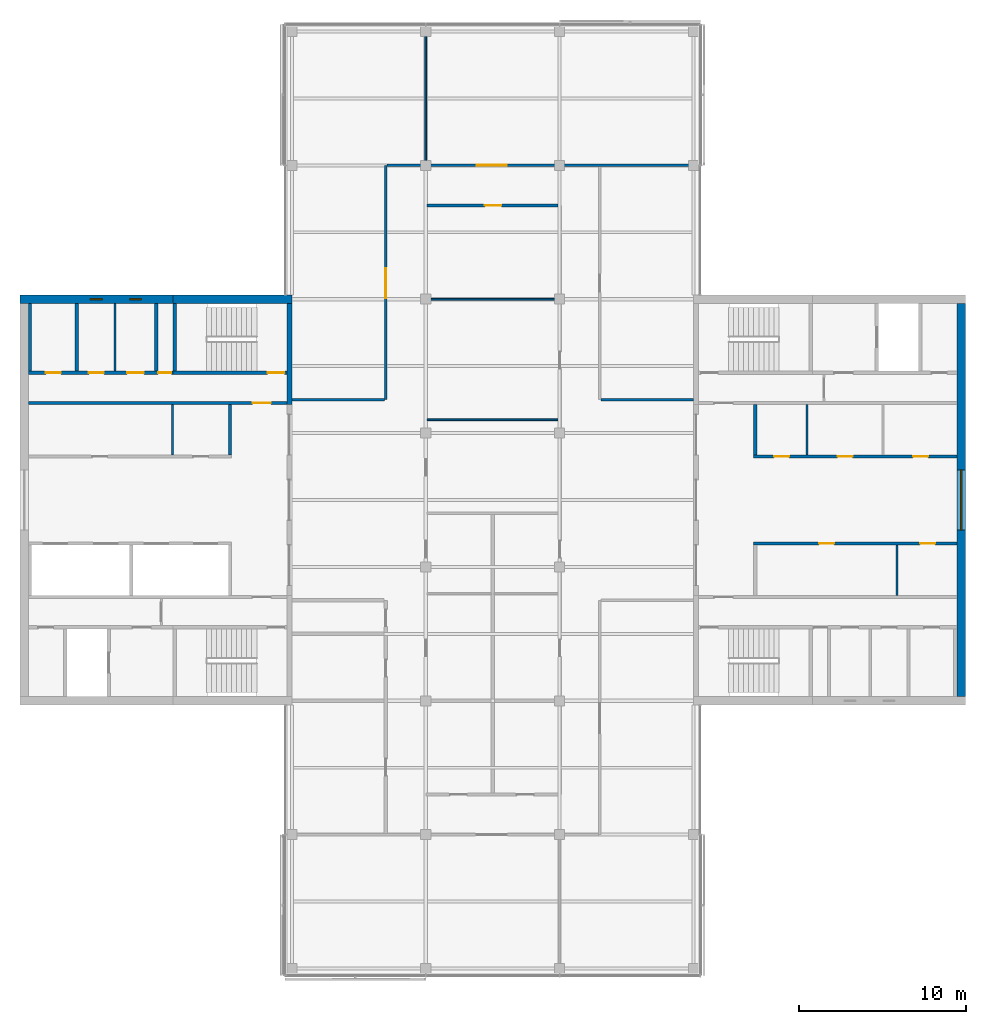
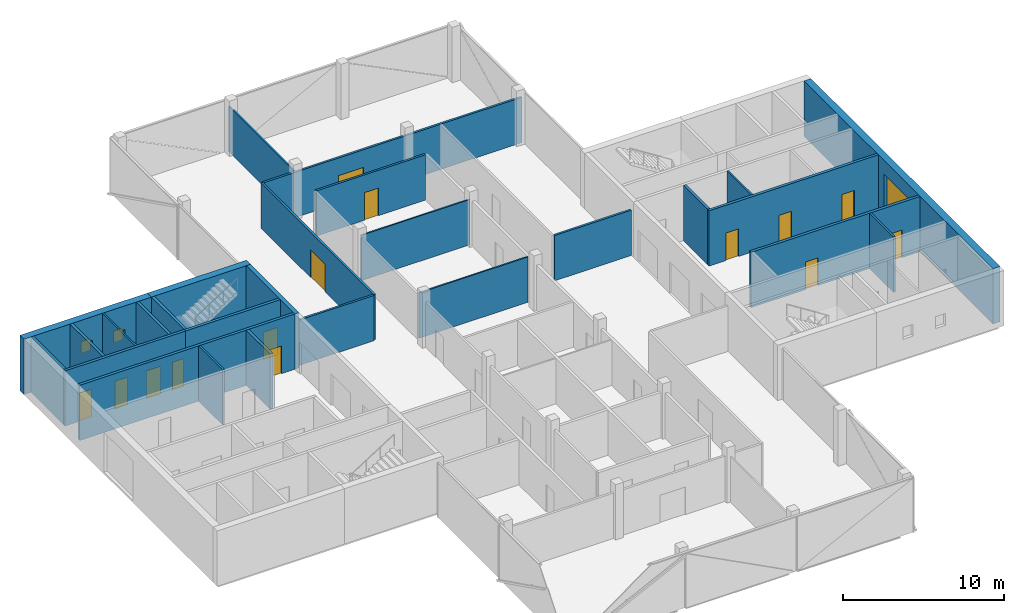
# One storey, part 11 of 15: 27 walls, 14 doors, 3 windows, 17 openings.
"""IFC4 building model written with IfcOpenShell, lengths in metres."""

from ifc_helpers import new_model, si_unit, direction, frame, frame_2d, origin, place, context, subcontext, project, spatial, rectangle, extrude, material, layer, layer_set, constituent, constituent_set, type_object, element, fill, save


model = new_model("IFC4")

# Units and contexts
model_context = context("Model", 3, precision=1e-05, world=origin(), true_north=direction((0.0, 1.0)))
body_context = subcontext(model_context, "Body", "Model", "MODEL_VIEW")
ifc_project = project(units=[si_unit("LENGTHUNIT", "METRE"), si_unit("AREAUNIT", "SQUARE_METRE"), si_unit("VOLUMEUNIT", "CUBIC_METRE"), si_unit("PLANEANGLEUNIT", "RADIAN"), si_unit("MASSUNIT", "GRAM", prefix="KILO")], contexts=[model_context])

# Site, building, storey
site_placement = place(None, origin())
site = spatial("IfcSite", under=ifc_project, at=site_placement, CompositionType="ELEMENT")
building_placement = place(site_placement, origin())
building = spatial("IfcBuilding", under=site, at=building_placement, Name="Crosswind Convention Tower", CompositionType="ELEMENT")
storey_placement = place(building_placement, frame((0.0, 0.0, 319.699951171875)))
storey = spatial("IfcBuildingStorey", under=building, at=storey_placement, Name="L69", CompositionType="ELEMENT", Elevation=319.699951171875)

# Walls
ifc_material_1 = material(Name="Concrete blockwork", Category="masonry")
ifc_layer_1 = layer(ifc_material_1, 0.199951171875)
ifc_layer_set_1 = layer_set([ifc_layer_1], Name="Blockwork partition wall 200")
wall_type_1 = type_object("IfcWallType", Name="Blockwork partition wall 200", PredefinedType="PARTITIONING", material=ifc_layer_set_1)
wall_1_placement = place(storey_placement, frame((104.89990234375, 111.75, 0.0), z_axis=(0.0, 0.0, 1.0), x_axis=(0.0, -1.0, 0.0)))
element("IfcWall", 1, at=wall_1_placement, inside=storey, type_object=wall_type_1, Name="Wall MRSE W L69", PredefinedType="PARTITIONING", context=body_context, shape_type="SweptSolid", body=[
    extrude(rectangle(XDim=4.050048828125, YDim=0.199951171875, at=frame_2d((2.02490234375, 0.0))), origin(), (0.0, 0.0, 1.0), 4.199951171875),
])
ifc_material_2 = material(Name="Concrete C50/60", Category="concrete")
ifc_layer_2 = layer(ifc_material_2, 0.300048828125)
ifc_layer_set_2 = layer_set([ifc_layer_2], Name="Concrete C50/60")
wall_type_2 = type_object("IfcWallType", Name="Concrete inner core wall 300", PredefinedType="SHEAR", material=ifc_layer_set_2)
wall_2_placement = place(storey_placement, frame((112.85009765625, 111.75, 0.0), z_axis=(0.0, 0.0, 1.0), x_axis=(0.0, -1.0, 0.0)))
element("IfcWall", 2, at=wall_2_placement, inside=storey, type_object=wall_type_2, Name="Wall EM W L69", PredefinedType="SHEAR", context=body_context, shape_type="SweptSolid", body=[
    extrude(rectangle(XDim=6.050048828125, YDim=0.300048828125, at=frame_2d((3.02490234375, 0.0))), origin(), (0.0, 0.0, 1.0), 4.199951171875),
])
ifc_layer_3 = layer(ifc_material_2, 0.199951171875)
ifc_layer_set_3 = layer_set([ifc_layer_3], Name="Concrete C50/60")
wall_type_3 = type_object("IfcWallType", Name="Concrete shaft and stair wall 200", PredefinedType="SHEAR", material=ifc_layer_set_3)
wall_3_placement = place(storey_placement, frame((140.699951171875, 102.699951171875, 0.0), z_axis=(0.0, 0.0, 1.0), x_axis=(0.0, 1.0, 0.0)))
element("IfcWall", 3, at=wall_3_placement, inside=storey, type_object=wall_type_3, Name="Wall RPEND E L69", PredefinedType="SHEAR", context=body_context, shape_type="SweptSolid", body=[
    extrude(rectangle(XDim=3.0, YDim=0.199951171875, at=frame_2d((1.5, 0.0))), origin(), (0.0, 0.0, 1.0), 4.199951171875),
])

# Wall, openings, doors
wall_4_placement = place(storey_placement, frame((140.60009765625, 102.60009765625, 0.0), z_axis=(0.0, 0.0, 1.0), x_axis=(1.0, 0.0, 0.0)))
wall_4 = element("IfcWall", 4, at=wall_4_placement, inside=storey, type_object=wall_type_3, Name="Wall RPFRONT E L69", PredefinedType="SHEAR", context=body_context, shape_type="SweptSolid", body=[
    extrude(rectangle(XDim=12.14990234375, YDim=0.199951171875, at=frame_2d((6.074951171875, 0.0))), origin(), (0.0, 0.0, 1.0), 4.199951171875),
])
opening_1_placement = place(wall_4_placement, frame((1.21240234375, 0.0, 0.0)))
opening_1 = element("IfcOpeningElement", 5, at=opening_1_placement, cuts=wall_4, Name="Opening D106", PredefinedType="OPENING", context=body_context, shape_type="SweptSolid", body=[
    extrude(rectangle(XDim=0.89990234375, YDim=2.10009765625, at=frame_2d((0.449951171875, 1.050048828125))), frame((0.0, 0.10986328125, 0.0), z_axis=(0.0, -1.0, 0.0), x_axis=(1.0, 0.0, 0.0)), (0.0, 0.0, 1.0), 0.219970703125),
])
opening_2_placement = place(wall_4_placement, frame((5.008056640625, 0.0, 0.0)))
opening_2 = element("IfcOpeningElement", 6, at=opening_2_placement, cuts=wall_4, Name="Opening D106", PredefinedType="OPENING", context=body_context, shape_type="SweptSolid", body=[
    extrude(rectangle(XDim=0.89990234375, YDim=2.10009765625, at=frame_2d((0.449951171875, 1.050048828125))), frame((0.0, 0.10986328125, 0.0), z_axis=(0.0, -1.0, 0.0), x_axis=(1.0, 0.0, 0.0)), (0.0, 0.0, 1.0), 0.219970703125),
])
opening_3_placement = place(wall_4_placement, frame((9.5205078125, 0.0, 0.0)))
opening_3 = element("IfcOpeningElement", 7, at=opening_3_placement, cuts=wall_4, Name="Opening D106", PredefinedType="OPENING", context=body_context, shape_type="SweptSolid", body=[
    extrude(rectangle(XDim=0.89990234375, YDim=2.10009765625, at=frame_2d((0.449951171875, 1.050048828125))), frame((0.0, 0.10986328125, 0.0), z_axis=(0.0, -1.0, 0.0), x_axis=(1.0, 0.0, 0.0)), (0.0, 0.0, 1.0), 0.219970703125),
])
ifc_material_3 = material(Name="Timber door", Category="wood")
door_type_1 = type_object("IfcDoorType", Name="Single leaf door 900x2100", OperationType="NOTDEFINED", PredefinedType="DOOR", material=ifc_material_3)
door_1_placement = place(opening_1_placement, origin())
door_1 = element("IfcDoor", 8, at=door_1_placement, inside=storey, type_object=door_type_1, Name="Door to meeting room L69", ObjectType="D106", OperationType="SINGLE_SWING_RIGHT", OverallHeight=2.10009765625, OverallWidth=0.89990234375, PredefinedType="DOOR", context=body_context, shape_type="SweptSolid", body=[
    extrude(rectangle(XDim=0.89990234375, YDim=2.10009765625, at=frame_2d((0.449951171875, 1.050048828125))), frame((0.0, 0.02490234375, 0.0), z_axis=(0.0, -1.0, 0.0), x_axis=(1.0, 0.0, 0.0)), (0.0, 0.0, 1.0), 0.050048828125),
])
fill(opening_1, door_1)
door_2_placement = place(opening_2_placement, origin())
door_2 = element("IfcDoor", 9, at=door_2_placement, inside=storey, type_object=door_type_1, Name="Door to pantry L69", ObjectType="D106", OperationType="SINGLE_SWING_RIGHT", OverallHeight=2.10009765625, OverallWidth=0.89990234375, PredefinedType="DOOR", context=body_context, shape_type="SweptSolid", body=[
    extrude(rectangle(XDim=0.89990234375, YDim=2.10009765625, at=frame_2d((0.449951171875, 1.050048828125))), frame((0.0, 0.02490234375, 0.0), z_axis=(0.0, -1.0, 0.0), x_axis=(1.0, 0.0, 0.0)), (0.0, 0.0, 1.0), 0.050048828125),
])
fill(opening_2, door_2)
door_3_placement = place(opening_3_placement, origin())
door_3 = element("IfcDoor", 10, at=door_3_placement, inside=storey, type_object=door_type_1, Name="Door to telecoms room L69", ObjectType="D106", OperationType="SINGLE_SWING_RIGHT", OverallHeight=2.10009765625, OverallWidth=0.89990234375, PredefinedType="DOOR", context=body_context, shape_type="SweptSolid", body=[
    extrude(rectangle(XDim=0.89990234375, YDim=2.10009765625, at=frame_2d((0.449951171875, 1.050048828125))), frame((0.0, 0.02490234375, 0.0), z_axis=(0.0, -1.0, 0.0), x_axis=(1.0, 0.0, 0.0)), (0.0, 0.0, 1.0), 0.050048828125),
])
fill(opening_3, door_3)

wall_5_placement = place(storey_placement, frame((140.60009765625, 97.39990234375, 0.0), z_axis=(0.0, 0.0, 1.0), x_axis=(1.0, 0.0, 0.0)))
wall_5 = element("IfcWall", 11, at=wall_5_placement, inside=storey, type_object=wall_type_3, Name="Wall RMFRONT E L69", PredefinedType="SHEAR", context=body_context, shape_type="SweptSolid", body=[
    extrude(rectangle(XDim=12.14990234375, YDim=0.199951171875, at=frame_2d((6.074951171875, 0.0))), origin(), (0.0, 0.0, 1.0), 4.199951171875),
])
opening_4_placement = place(wall_5_placement, frame((3.9013671875, 0.0, 0.0)))
opening_4 = element("IfcOpeningElement", 12, at=opening_4_placement, cuts=wall_5, Name="Opening D106", PredefinedType="OPENING", context=body_context, shape_type="SweptSolid", body=[
    extrude(rectangle(XDim=0.89990234375, YDim=2.10009765625, at=frame_2d((0.449951171875, 1.050048828125))), frame((0.0, 0.10986328125, 0.0), z_axis=(0.0, -1.0, 0.0), x_axis=(1.0, 0.0, 0.0)), (0.0, 0.0, 1.0), 0.219970703125),
])
opening_5_placement = place(wall_5_placement, frame((9.938720703125, 0.0, 0.0)))
opening_5 = element("IfcOpeningElement", 13, at=opening_5_placement, cuts=wall_5, Name="Opening D106", PredefinedType="OPENING", context=body_context, shape_type="SweptSolid", body=[
    extrude(rectangle(XDim=0.89990234375, YDim=2.10009765625, at=frame_2d((0.449951171875, 1.050048828125))), frame((0.0, 0.10986328125, 0.0), z_axis=(0.0, -1.0, 0.0), x_axis=(1.0, 0.0, 0.0)), (0.0, 0.0, 1.0), 0.219970703125),
])
door_4_placement = place(opening_4_placement, frame((0.89990234375, 0.0, 0.0), z_axis=(0.0, 0.0, 1.0), x_axis=(-1.0, 0.0, 0.0)))
door_4 = element("IfcDoor", 14, at=door_4_placement, inside=storey, type_object=door_type_1, Name="Door to pantry L69", ObjectType="D106", OperationType="SINGLE_SWING_LEFT", OverallHeight=2.10009765625, OverallWidth=0.89990234375, PredefinedType="DOOR", context=body_context, shape_type="SweptSolid", body=[
    extrude(rectangle(XDim=0.89990234375, YDim=2.10009765625, at=frame_2d((0.449951171875, 1.050048828125))), frame((0.0, 0.02490234375, 0.0), z_axis=(0.0, -1.0, 0.0), x_axis=(1.0, 0.0, 0.0)), (0.0, 0.0, 1.0), 0.050048828125),
])
fill(opening_4, door_4)
door_5_placement = place(opening_5_placement, frame((0.89990234375, 0.0, 0.0), z_axis=(0.0, 0.0, 1.0), x_axis=(-1.0, 0.0, 0.0)))
door_5 = element("IfcDoor", 15, at=door_5_placement, inside=storey, type_object=door_type_1, Name="Door to telecoms room L69", ObjectType="D106", OperationType="SINGLE_SWING_LEFT", OverallHeight=2.10009765625, OverallWidth=0.89990234375, PredefinedType="DOOR", context=body_context, shape_type="SweptSolid", body=[
    extrude(rectangle(XDim=0.89990234375, YDim=2.10009765625, at=frame_2d((0.449951171875, 1.050048828125))), frame((0.0, 0.02490234375, 0.0), z_axis=(0.0, -1.0, 0.0), x_axis=(1.0, 0.0, 0.0)), (0.0, 0.0, 1.0), 0.050048828125),
])
fill(opening_5, door_5)

# Wall
wall_6_placement = place(storey_placement, frame((109.300048828125, 105.699951171875, 0.0), z_axis=(0.0, 0.0, 1.0), x_axis=(0.0, -1.0, 0.0)))
element("IfcWall", 16, at=wall_6_placement, inside=storey, type_object=wall_type_3, Name="Wall RMEND W L69", PredefinedType="SHEAR", context=body_context, shape_type="SweptSolid", body=[
    extrude(rectangle(XDim=3.0, YDim=0.199951171875, at=frame_2d((1.5, 0.0))), origin(), (0.0, 0.0, 1.0), 4.199951171875),
])

# Wall, opening, door
wall_7_placement = place(storey_placement, frame((112.699951171875, 105.800048828125, 0.0), z_axis=(0.0, 0.0, 1.0), x_axis=(-1.0, 0.0, 0.0)))
wall_7 = element("IfcWall", 17, at=wall_7_placement, inside=storey, type_object=wall_type_3, Name="Wall HM W L69", PredefinedType="SHEAR", context=body_context, shape_type="SweptSolid", body=[
    extrude(rectangle(XDim=15.449951171875, YDim=0.199951171875, at=frame_2d((7.72509765625, 0.0))), origin(), (0.0, 0.0, 1.0), 4.199951171875),
])
opening_6_placement = place(wall_7_placement, frame((0.949951171875, 0.0, 0.0)))
opening_6 = element("IfcOpeningElement", 18, at=opening_6_placement, cuts=wall_7, Name="Opening D104", PredefinedType="OPENING", context=body_context, shape_type="SweptSolid", body=[
    extrude(rectangle(XDim=1.10009765625, YDim=2.10009765625, at=frame_2d((0.550048828125, 1.050048828125))), frame((0.0, 0.10986328125, 0.0), z_axis=(0.0, -1.0, 0.0), x_axis=(1.0, 0.0, 0.0)), (0.0, 0.0, 1.0), 0.219970703125),
])
ifc_material_4 = material(Name="Steel fire door", Category="steel")
door_type_2 = type_object("IfcDoorType", Name="Fire-rated single door 1100x2100", OperationType="NOTDEFINED", PredefinedType="DOOR", material=ifc_material_4)
door_6_placement = place(opening_6_placement, origin())
door_6 = element("IfcDoor", 19, at=door_6_placement, inside=storey, type_object=door_type_2, Name="Corridor door L69", ObjectType="D104", OperationType="SINGLE_SWING_LEFT", OverallHeight=2.10009765625, OverallWidth=1.10009765625, PredefinedType="DOOR", context=body_context, shape_type="SweptSolid", body=[
    extrude(rectangle(XDim=1.10009765625, YDim=2.10009765625, at=frame_2d((0.550048828125, 1.050048828125))), frame((0.0, 0.02490234375, 0.0), z_axis=(0.0, -1.0, 0.0), x_axis=(1.0, 0.0, 0.0)), (0.0, 0.0, 1.0), 0.050048828125),
])
fill(opening_6, door_6)

# Walls
for number, where, z_axis, x_axis, name in (
    (20, (106.0, 111.75, 0.0), (0.0, 0.0, 1.0), (0.0, -1.0, 0.0), "Wall MSE W L69"),
    (21, (100.14990234375, 111.75, 0.0), (0.0, 0.0, 1.0), (0.0, -1.0, 0.0), "Wall MFSW W L69"),
    (22, (97.35009765625, 111.75, 0.0), (0.0, 0.0, 1.0), (0.0, -1.0, 0.0), "Wall MFSE W L69"),
):
    element("IfcWall", number, at=place(storey_placement, frame(where, z_axis=z_axis, x_axis=x_axis)), inside=storey, type_object=wall_type_3, Name=name, PredefinedType="SHEAR", context=body_context, shape_type="SweptSolid", body=[
        extrude(rectangle(XDim=4.050048828125, YDim=0.199951171875, at=frame_2d((2.02490234375, 0.0))), origin(), (0.0, 0.0, 1.0), 4.199951171875),
    ])

# Wall, opening, door
wall_8_placement = place(storey_placement, frame((112.699951171875, 107.60009765625, 0.0), z_axis=(0.0, 0.0, 1.0), x_axis=(-1.0, 0.0, 0.0)))
wall_8 = element("IfcWall", 23, at=wall_8_placement, inside=storey, type_object=wall_type_3, Name="Wall MCW W L69", PredefinedType="SHEAR", context=body_context, shape_type="SweptSolid", body=[
    extrude(rectangle(XDim=6.800048828125, YDim=0.199951171875, at=frame_2d((3.39990234375, 0.0))), origin(), (0.0, 0.0, 1.0), 4.199951171875),
])
opening_7_placement = place(wall_8_placement, frame((0.14990234375, 0.0, 0.0)))
opening_7 = element("IfcOpeningElement", 24, at=opening_7_placement, cuts=wall_8, Name="Opening D103", PredefinedType="OPENING", context=body_context, shape_type="SweptSolid", body=[
    extrude(rectangle(XDim=1.0, YDim=2.10009765625, at=frame_2d((0.5, 1.050048828125))), frame((0.0, 0.10986328125, 0.0), z_axis=(0.0, -1.0, 0.0), x_axis=(1.0, 0.0, 0.0)), (0.0, 0.0, 1.0), 0.219970703125),
])
door_type_3 = type_object("IfcDoorType", Name="Fire-rated single door 1000x2100", OperationType="NOTDEFINED", PredefinedType="DOOR", material=ifc_material_4)
door_7_placement = place(opening_7_placement, frame((1.0, 0.0, 0.0), z_axis=(0.0, 0.0, 1.0), x_axis=(-1.0, 0.0, 0.0)))
door_7 = element("IfcDoor", 25, at=door_7_placement, inside=storey, type_object=door_type_3, Name="Stair ST4 door L69", ObjectType="D103", OperationType="SINGLE_SWING_RIGHT", OverallHeight=2.10009765625, OverallWidth=1.0, PredefinedType="DOOR", context=body_context, shape_type="SweptSolid", body=[
    extrude(rectangle(XDim=1.0, YDim=2.10009765625, at=frame_2d((0.5, 1.050048828125))), frame((0.0, 0.02490234375, 0.0), z_axis=(0.0, -1.0, 0.0), x_axis=(1.0, 0.0, 0.0)), (0.0, 0.0, 1.0), 0.050048828125),
])
fill(opening_7, door_7)

# Wall, openings, doors
wall_9_placement = place(storey_placement, frame((105.89990234375, 107.60009765625, 0.0), z_axis=(0.0, 0.0, 1.0), x_axis=(-1.0, 0.0, 0.0)))
wall_9 = element("IfcWall", 26, at=wall_9_placement, inside=storey, type_object=wall_type_3, Name="Wall MCX W L69", PredefinedType="SHEAR", context=body_context, shape_type="SweptSolid", body=[
    extrude(rectangle(XDim=8.64990234375, YDim=0.199951171875, at=frame_2d((4.324951171875, 0.0))), origin(), (0.0, 0.0, 1.0), 4.199951171875),
])
opening_8_placement = place(wall_9_placement, frame((0.10009765625, 0.0, 0.0)))
opening_8 = element("IfcOpeningElement", 27, at=opening_8_placement, cuts=wall_9, Name="Opening D105", PredefinedType="OPENING", context=body_context, shape_type="SweptSolid", body=[
    extrude(rectangle(XDim=0.800048828125, YDim=2.10009765625, at=frame_2d((0.39990234375, 1.050048828125))), frame((0.0, 0.10986328125, 0.0), z_axis=(0.0, -1.0, 0.0), x_axis=(1.0, 0.0, 0.0)), (0.0, 0.0, 1.0), 0.219970703125),
])
opening_9_placement = place(wall_9_placement, frame((1.751708984375, 0.0, 0.0)))
opening_9 = element("IfcOpeningElement", 28, at=opening_9_placement, cuts=wall_9, Name="Opening D103", PredefinedType="OPENING", context=body_context, shape_type="SweptSolid", body=[
    extrude(rectangle(XDim=1.0, YDim=2.10009765625, at=frame_2d((0.5, 1.050048828125))), frame((0.0, 0.10986328125, 0.0), z_axis=(0.0, -1.0, 0.0), x_axis=(1.0, 0.0, 0.0)), (0.0, 0.0, 1.0), 0.219970703125),
])
opening_10_placement = place(wall_9_placement, frame((4.13916015625, 0.0, 0.0)))
opening_10 = element("IfcOpeningElement", 29, at=opening_10_placement, cuts=wall_9, Name="Opening D106", PredefinedType="OPENING", context=body_context, shape_type="SweptSolid", body=[
    extrude(rectangle(XDim=0.89990234375, YDim=2.10009765625, at=frame_2d((0.449951171875, 1.050048828125))), frame((0.0, 0.10986328125, 0.0), z_axis=(0.0, -1.0, 0.0), x_axis=(1.0, 0.0, 0.0)), (0.0, 0.0, 1.0), 0.219970703125),
])
opening_11_placement = place(wall_9_placement, frame((6.699951171875, 0.0, 0.0)))
opening_11 = element("IfcOpeningElement", 30, at=opening_11_placement, cuts=wall_9, Name="Opening D106", PredefinedType="OPENING", context=body_context, shape_type="SweptSolid", body=[
    extrude(rectangle(XDim=0.89990234375, YDim=2.10009765625, at=frame_2d((0.449951171875, 1.050048828125))), frame((0.0, 0.10986328125, 0.0), z_axis=(0.0, -1.0, 0.0), x_axis=(1.0, 0.0, 0.0)), (0.0, 0.0, 1.0), 0.219970703125),
])
door_8_placement = place(opening_9_placement, frame((1.0, 0.0, 0.0), z_axis=(0.0, 0.0, 1.0), x_axis=(-1.0, 0.0, 0.0)))
door_8 = element("IfcDoor", 31, at=door_8_placement, inside=storey, type_object=door_type_3, Name="Door to accessible wc L69", ObjectType="D103", OperationType="SINGLE_SWING_LEFT", OverallHeight=2.10009765625, OverallWidth=1.0, PredefinedType="DOOR", context=body_context, shape_type="SweptSolid", body=[
    extrude(rectangle(XDim=1.0, YDim=2.10009765625, at=frame_2d((0.5, 1.050048828125))), frame((0.0, 0.02490234375, 0.0), z_axis=(0.0, -1.0, 0.0), x_axis=(1.0, 0.0, 0.0)), (0.0, 0.0, 1.0), 0.050048828125),
])
fill(opening_9, door_8)
door_type_4 = type_object("IfcDoorType", Name="Riser access door 800x2100", OperationType="NOTDEFINED", PredefinedType="DOOR", material=ifc_material_4)
door_9_placement = place(opening_8_placement, frame((0.800048828125, 0.0, 0.0), z_axis=(0.0, 0.0, 1.0), x_axis=(-1.0, 0.0, 0.0)))
door_9 = element("IfcDoor", 32, at=door_9_placement, inside=storey, type_object=door_type_4, Name="Riser door L69", ObjectType="D105", OperationType="SINGLE_SWING_LEFT", OverallHeight=2.10009765625, OverallWidth=0.800048828125, PredefinedType="DOOR", context=body_context, shape_type="SweptSolid", body=[
    extrude(rectangle(XDim=0.800048828125, YDim=2.10009765625, at=frame_2d((0.39990234375, 1.050048828125))), frame((0.0, 0.02490234375, 0.0), z_axis=(0.0, -1.0, 0.0), x_axis=(1.0, 0.0, 0.0)), (0.0, 0.0, 1.0), 0.050048828125),
])
fill(opening_8, door_9)
door_10_placement = place(opening_10_placement, frame((0.89990234375, 0.0, 0.0), z_axis=(0.0, 0.0, 1.0), x_axis=(-1.0, 0.0, 0.0)))
door_10 = element("IfcDoor", 33, at=door_10_placement, inside=storey, type_object=door_type_1, Name="Door to wc L69", ObjectType="D106", OperationType="SINGLE_SWING_LEFT", OverallHeight=2.10009765625, OverallWidth=0.89990234375, PredefinedType="DOOR", context=body_context, shape_type="SweptSolid", body=[
    extrude(rectangle(XDim=0.89990234375, YDim=2.10009765625, at=frame_2d((0.449951171875, 1.050048828125))), frame((0.0, 0.02490234375, 0.0), z_axis=(0.0, -1.0, 0.0), x_axis=(1.0, 0.0, 0.0)), (0.0, 0.0, 1.0), 0.050048828125),
])
fill(opening_10, door_10)
door_11_placement = place(opening_11_placement, frame((0.89990234375, 0.0, 0.0), z_axis=(0.0, 0.0, 1.0), x_axis=(-1.0, 0.0, 0.0)))
door_11 = element("IfcDoor", 34, at=door_11_placement, inside=storey, type_object=door_type_1, Name="Door to wc L69", ObjectType="D106", OperationType="SINGLE_SWING_LEFT", OverallHeight=2.10009765625, OverallWidth=0.89990234375, PredefinedType="DOOR", context=body_context, shape_type="SweptSolid", body=[
    extrude(rectangle(XDim=0.89990234375, YDim=2.10009765625, at=frame_2d((0.449951171875, 1.050048828125))), frame((0.0, 0.02490234375, 0.0), z_axis=(0.0, -1.0, 0.0), x_axis=(1.0, 0.0, 0.0)), (0.0, 0.0, 1.0), 0.050048828125),
])
fill(opening_11, door_11)

# Walls
ifc_material_5 = material(Name="Gypsum plasterboard partition", Category="gypsum")
ifc_layer_4 = layer(ifc_material_5, 0.125)
ifc_layer_set_4 = layer_set([ifc_layer_4], Name="Drywall partition wall 125")
wall_type_4 = type_object("IfcWallType", Name="Drywall partition wall 125", PredefinedType="PARTITIONING", material=ifc_layer_set_4)
for number, where, z_axis, x_axis, name in (
    (35, (143.78759765625, 102.699951171875, 0.0), (0.0, 0.0, 1.0), (0.0, 1.0, 0.0), "Wall RPP1 E L69"),
    (36, (149.1650390625, 94.300048828125, 0.0), (0.0, 0.0, 1.0), (0.0, 1.0, 0.0), "Wall RMP1 E L69"),
    (37, (105.85400390625, 105.699951171875, 0.0), (0.0, 0.0, 1.0), (0.0, -1.0, 0.0), "Wall RMP1 W L69"),
):
    element("IfcWall", number, at=place(storey_placement, frame(where, z_axis=z_axis, x_axis=x_axis)), inside=storey, type_object=wall_type_4, Name=name, PredefinedType="PARTITIONING", context=body_context, shape_type="SweptSolid", body=[
        extrude(rectangle(XDim=3.0, YDim=0.125, at=frame_2d((1.5, 0.0))), origin(), (0.0, 0.0, 1.0), 4.199951171875),
    ])
wall_10_placement = place(storey_placement, frame((102.43408203125, 111.75, 0.0), z_axis=(0.0, 0.0, 1.0), x_axis=(0.0, -1.0, 0.0)))
element("IfcWall", 38, at=wall_10_placement, inside=storey, type_object=wall_type_4, Name="Wall MWP1 W L69", PredefinedType="PARTITIONING", context=body_context, shape_type="SweptSolid", body=[
    extrude(rectangle(XDim=4.050048828125, YDim=0.125, at=frame_2d((2.02490234375, 0.0))), origin(), (0.0, 0.0, 1.0), 4.199951171875),
])
ifc_material_6 = material(Name="Plasterboard partition", Category="gypsum")
ifc_layer_5 = layer(ifc_material_6, 0.10009765625)
ifc_layer_set_5 = layer_set([ifc_layer_5], Name="PARTITION 100 METAL STUD")
wall_type_5 = type_object("IfcWallType", Name="PARTITION 100 METAL STUD", PredefinedType="PARTITIONING", material=ifc_layer_set_5)
wall_11_placement = place(storey_placement, frame((121.0, 120.074951171875, 0.0), z_axis=(0.0, 0.0, 1.0), x_axis=(0.0, 1.0, 0.0)))
element("IfcWall", 39, at=wall_11_placement, inside=storey, type_object=wall_type_5, Name="Partition wall WT40", PredefinedType="PARTITIONING", context=body_context, shape_type="SweptSolid", body=[
    extrude(rectangle(XDim=8.14501953125, YDim=0.10009765625, at=frame_2d((4.072509765625, 0.0))), origin(), (0.0, 0.0, 1.0), 3.44287109375),
])
for number, where, z_axis, x_axis, name in (
    (40, (121.074951171875, 104.800048828125, 0.0), (0.0, 0.0, 1.0), (1.0, 0.0, 0.0), "Partition wall WT40"),
    (41, (121.074951171875, 112.0, 0.0), (0.0, 0.0, 1.0), (1.0, 0.0, 0.0), "Partition wall WT40"),
):
    element("IfcWall", number, at=place(storey_placement, frame(where, z_axis=z_axis, x_axis=x_axis)), inside=storey, type_object=wall_type_5, Name=name, PredefinedType="PARTITIONING", context=body_context, shape_type="SweptSolid", body=[
        extrude(rectangle(XDim=7.824951171875, YDim=0.10009765625, at=frame_2d((3.91259765625, 0.0))), origin(), (0.0, 0.0, 1.0), 3.44287109375),
    ])

# Wall, opening, door
ifc_material_7 = material(Name="Fire-board partition with mineral wool", Category="gypsum")
ifc_layer_6 = layer(ifc_material_7, 0.14990234375)
ifc_layer_set_6 = layer_set([ifc_layer_6], Name="TENANCY WALL 150 TWO-HOUR BOARD")
wall_type_6 = type_object("IfcWallType", Name="TENANCY WALL 150 TWO-HOUR BOARD", PredefinedType="PARTITIONING", material=ifc_layer_set_6)
wall_12_placement = place(storey_placement, frame((118.60009765625, 106.0, 0.0), z_axis=(0.0, 0.0, 1.0), x_axis=(0.0, 1.0, 0.0)))
wall_12 = element("IfcWall", 42, at=wall_12_placement, inside=storey, type_object=wall_type_6, Name="Tenancy wall WT41", PredefinedType="PARTITIONING", context=body_context, shape_type="SweptSolid", body=[
    extrude(rectangle(XDim=14.0, YDim=0.14990234375, at=frame_2d((7.0, 0.0))), origin(), (0.0, 0.0, 1.0), 3.44287109375),
])
opening_12_placement = place(wall_12_placement, frame((6.050048828125, 0.0, 0.0)))
opening_12 = element("IfcOpeningElement", 43, at=opening_12_placement, cuts=wall_12, Name="Opening L69-52", PredefinedType="OPENING", context=body_context, shape_type="SweptSolid", body=[
    extrude(rectangle(XDim=1.800048828125, YDim=2.10009765625, at=frame_2d((0.89990234375, 1.050048828125))), frame((0.0, 0.0849609375, 0.0), z_axis=(0.0, -1.0, 0.0), x_axis=(1.0, 0.0, 0.0)), (0.0, 0.0, 1.0), 0.169921875),
])
ifc_material_8 = material(Name="Timber fire door", Category="wood")
door_type_5 = type_object("IfcDoorType", Name="TENANCY ENTRANCE DOUBLE DOOR 1800X2100 FD30S", OperationType="DOUBLE_DOOR_SINGLE_SWING", PredefinedType="DOOR", material=ifc_material_8)
door_12_placement = place(opening_12_placement, origin())
door_12 = element("IfcDoor", 44, at=door_12_placement, inside=storey, type_object=door_type_5, Name="Door L69-52", ObjectType="D42", OperationType="DOUBLE_DOOR_SINGLE_SWING", OverallHeight=2.10009765625, OverallWidth=1.800048828125, PredefinedType="DOOR", context=body_context, shape_type="SweptSolid", body=[
    extrude(rectangle(XDim=1.800048828125, YDim=2.10009765625, at=frame_2d((0.89990234375, 1.050048828125))), frame((0.0, 0.02490234375, 0.0), z_axis=(0.0, -1.0, 0.0), x_axis=(1.0, 0.0, 0.0)), (0.0, 0.0, 1.0), 0.050048828125),
])
fill(opening_12, door_12)

# Walls
for number, where, z_axis, x_axis, name in (
    (45, (113.0, 106.0, 0.0), (0.0, 0.0, 1.0), (1.0, 0.0, 0.0), "Tenancy wall WT41"),
    (46, (131.47509765625, 106.0, 0.0), (0.0, 0.0, 1.0), (1.0, 0.0, 0.0), "Tenancy wall WT41"),
):
    element("IfcWall", number, at=place(storey_placement, frame(where, z_axis=z_axis, x_axis=x_axis)), inside=storey, type_object=wall_type_6, Name=name, PredefinedType="PARTITIONING", context=body_context, shape_type="SweptSolid", body=[
        extrude(rectangle(XDim=5.52490234375, YDim=0.14990234375, at=frame_2d((2.762451171875, 0.0))), origin(), (0.0, 0.0, 1.0), 3.44287109375),
    ])

# Wall, opening, door
wall_13_placement = place(storey_placement, frame((121.074951171875, 117.60009765625, 0.0), z_axis=(0.0, 0.0, 1.0), x_axis=(1.0, 0.0, 0.0)))
wall_13 = element("IfcWall", 47, at=wall_13_placement, inside=storey, type_object=wall_type_6, Name="Tenancy wall WT41", PredefinedType="PARTITIONING", context=body_context, shape_type="SweptSolid", body=[
    extrude(rectangle(XDim=7.824951171875, YDim=0.14990234375, at=frame_2d((3.91259765625, 0.0))), origin(), (0.0, 0.0, 1.0), 3.44287109375),
])
opening_13_placement = place(wall_13_placement, frame((3.449951171875, 0.0, 0.0)))
opening_13 = element("IfcOpeningElement", 48, at=opening_13_placement, cuts=wall_13, Name="Opening L69-66", PredefinedType="OPENING", context=body_context, shape_type="SweptSolid", body=[
    extrude(rectangle(XDim=1.0, YDim=2.10009765625, at=frame_2d((0.5, 1.050048828125))), frame((0.0, 0.0849609375, 0.0), z_axis=(0.0, -1.0, 0.0), x_axis=(1.0, 0.0, 0.0)), (0.0, 0.0, 1.0), 0.169921875),
])
door_type_6 = type_object("IfcDoorType", Name="TENANCY ENTRANCE DOOR 1000X2100 FD30S", OperationType="NOTDEFINED", PredefinedType="DOOR", material=ifc_material_8)
door_13_placement = place(opening_13_placement, frame((1.0, 0.0, 0.0), z_axis=(0.0, 0.0, 1.0), x_axis=(-1.0, 0.0, 0.0)))
door_13 = element("IfcDoor", 49, at=door_13_placement, inside=storey, type_object=door_type_6, Name="Door L69-66", ObjectType="D41", OperationType="SINGLE_SWING_LEFT", OverallHeight=2.10009765625, OverallWidth=1.0, PredefinedType="DOOR", context=body_context, shape_type="SweptSolid", body=[
    extrude(rectangle(XDim=1.0, YDim=2.10009765625, at=frame_2d((0.5, 1.050048828125))), frame((0.0, 0.02490234375, 0.0), z_axis=(0.0, -1.0, 0.0), x_axis=(1.0, 0.0, 0.0)), (0.0, 0.0, 1.0), 0.050048828125),
])
fill(opening_13, door_13)

wall_14_placement = place(storey_placement, frame((118.675048828125, 120.0, 0.0), z_axis=(0.0, 0.0, 1.0), x_axis=(1.0, 0.0, 0.0)))
wall_14 = element("IfcWall", 50, at=wall_14_placement, inside=storey, type_object=wall_type_6, Name="Tenancy wall WT41", PredefinedType="PARTITIONING", context=body_context, shape_type="SweptSolid", body=[
    extrude(rectangle(XDim=18.544921875, YDim=0.14990234375, at=frame_2d((9.2724609375, 0.0))), origin(), (0.0, 0.0, 1.0), 3.44287109375),
])
opening_14_placement = place(wall_14_placement, frame((5.375, 0.0, 0.0)))
opening_14 = element("IfcOpeningElement", 51, at=opening_14_placement, cuts=wall_14, Name="Opening L69-56", PredefinedType="OPENING", context=body_context, shape_type="SweptSolid", body=[
    extrude(rectangle(XDim=1.800048828125, YDim=2.10009765625, at=frame_2d((0.89990234375, 1.050048828125))), frame((0.0, 0.0849609375, 0.0), z_axis=(0.0, -1.0, 0.0), x_axis=(1.0, 0.0, 0.0)), (0.0, 0.0, 1.0), 0.169921875),
])
door_14_placement = place(opening_14_placement, origin())
door_14 = element("IfcDoor", 52, at=door_14_placement, inside=storey, type_object=door_type_5, Name="Door L69-56", ObjectType="D42", OperationType="DOUBLE_DOOR_SINGLE_SWING", OverallHeight=2.10009765625, OverallWidth=1.800048828125, PredefinedType="DOOR", context=body_context, shape_type="SweptSolid", body=[
    extrude(rectangle(XDim=1.800048828125, YDim=2.10009765625, at=frame_2d((0.89990234375, 1.050048828125))), frame((0.0, 0.02490234375, 0.0), z_axis=(0.0, -1.0, 0.0), x_axis=(1.0, 0.0, 0.0)), (0.0, 0.0, 1.0), 0.050048828125),
])
fill(opening_14, door_14)

# Wall, opening, window
ifc_material_9 = material(Name="Concrete C60/75", Category="concrete")
ifc_constituent_1 = constituent(ifc_material_9, Name="Structure")
ifc_material_10 = material(Name="Terracotta rainscreen", Category="ceramic")
ifc_constituent_2 = constituent(ifc_material_10, Name="Facing")
ifc_constituent_set = constituent_set(constituents=[ifc_constituent_1, ifc_constituent_2], Name="Concrete C60/75, Terracotta rainscreen")
wall_type_7 = type_object("IfcWallType", Name="Terracotta rainscreen on concrete core wall 500", PredefinedType="SHEAR", material=ifc_constituent_set)
wall_15_placement = place(storey_placement, frame((153.0, 88.25, 0.0), z_axis=(0.0, 0.0, 1.0), x_axis=(0.0, 1.0, 0.0)))
wall_15 = element("IfcWall", 53, at=wall_15_placement, inside=storey, type_object=wall_type_7, Name="Wall O E L69", PredefinedType="SHEAR", context=body_context, shape_type="SweptSolid", body=[
    extrude(rectangle(XDim=23.5, YDim=0.5, at=frame_2d((11.75, 0.0))), origin(), (0.0, 0.0, 1.0), 4.199951171875),
])
opening_15_placement = place(wall_15_placement, frame((9.949951171875, 0.0, 0.14990234375)))
opening_15 = element("IfcOpeningElement", 54, at=opening_15_placement, cuts=wall_15, Name="Opening W1", PredefinedType="OPENING", context=body_context, shape_type="SweptSolid", body=[
    extrude(rectangle(XDim=3.60009765625, YDim=3.0, at=frame_2d((1.800048828125, 1.5))), frame((0.0, 0.260009765625, 0.0), z_axis=(0.0, -1.0, 0.0), x_axis=(1.0, 0.0, 0.0)), (0.0, 0.0, 1.0), 0.52001953125),
])
ifc_material_11 = material(Name="Clear laminated glass in aluminium frame", Category="aluminium")
window_type_1 = type_object("IfcWindowType", Name="Lobby end window 3600x3000", PartitioningType="SINGLE_PANEL", PredefinedType="WINDOW", material=ifc_material_11)
window_1_placement = place(opening_15_placement, origin())
window_1 = element("IfcWindow", 55, at=window_1_placement, inside=storey, type_object=window_type_1, Name="Lobby end window L69", ObjectType="W1", OverallHeight=3.0, OverallWidth=3.60009765625, PartitioningType="SINGLE_PANEL", PredefinedType="WINDOW", context=body_context, shape_type="SweptSolid", body=[
    extrude(rectangle(XDim=3.60009765625, YDim=3.0, at=frame_2d((1.800048828125, 1.5))), frame((0.0, 0.030029296875, 0.0), z_axis=(0.0, -1.0, 0.0), x_axis=(1.0, 0.0, 0.0)), (0.0, 0.0, 1.0), 0.06005859375),
])
fill(opening_15, window_1)

# Wall
wall_16_placement = place(storey_placement, frame((113.0, 112.0, 0.0), z_axis=(0.0, 0.0, 1.0), x_axis=(-1.0, 0.0, 0.0)))
element("IfcWall", 56, at=wall_16_placement, inside=storey, type_object=wall_type_7, Name="Wall S1 W L69", PredefinedType="SHEAR", context=body_context, shape_type="SweptSolid", body=[
    extrude(rectangle(XDim=7.10009765625, YDim=0.5, at=frame_2d((3.550048828125, 0.0))), origin(), (0.0, 0.0, 1.0), 4.199951171875),
])

# Wall, openings, windows
wall_17_placement = place(storey_placement, frame((105.89990234375, 112.0, 0.0), z_axis=(0.0, 0.0, 1.0), x_axis=(-1.0, 0.0, 0.0)))
wall_17 = element("IfcWall", 57, at=wall_17_placement, inside=storey, type_object=wall_type_7, Name="Wall S2 W L69", PredefinedType="SHEAR", context=body_context, shape_type="SweptSolid", body=[
    extrude(rectangle(XDim=9.14990234375, YDim=0.5, at=frame_2d((4.574951171875, 0.0))), origin(), (0.0, 0.0, 1.0), 4.199951171875),
])
opening_16_placement = place(wall_17_placement, frame((1.90185546875, 0.0, 1.5)))
opening_16 = element("IfcOpeningElement", 58, at=opening_16_placement, cuts=wall_17, Name="Opening W2", PredefinedType="OPENING", context=body_context, shape_type="SweptSolid", body=[
    extrude(rectangle(XDim=0.699951171875, YDim=0.89990234375, at=frame_2d((0.35009765625, 0.449951171875))), frame((0.0, 0.260009765625, 0.0), z_axis=(0.0, -1.0, 0.0), x_axis=(1.0, 0.0, 0.0)), (0.0, 0.0, 1.0), 0.52001953125),
])
opening_17_placement = place(wall_17_placement, frame((4.2392578125, 0.0, 1.5)))
opening_17 = element("IfcOpeningElement", 59, at=opening_17_placement, cuts=wall_17, Name="Opening W2", PredefinedType="OPENING", context=body_context, shape_type="SweptSolid", body=[
    extrude(rectangle(XDim=0.699951171875, YDim=0.89990234375, at=frame_2d((0.35009765625, 0.449951171875))), frame((0.0, 0.260009765625, 0.0), z_axis=(0.0, -1.0, 0.0), x_axis=(1.0, 0.0, 0.0)), (0.0, 0.0, 1.0), 0.52001953125),
])
ifc_material_12 = material(Name="Obscure glass in aluminium frame", Category="aluminium")
window_type_2 = type_object("IfcWindowType", Name="WC window 700x900", PartitioningType="SINGLE_PANEL", PredefinedType="WINDOW", material=ifc_material_12)
window_2_placement = place(opening_16_placement, origin())
window_2 = element("IfcWindow", 60, at=window_2_placement, inside=storey, type_object=window_type_2, Name="WC window L69", ObjectType="W2", OverallHeight=0.89990234375, OverallWidth=0.699951171875, PartitioningType="SINGLE_PANEL", PredefinedType="WINDOW", context=body_context, shape_type="SweptSolid", body=[
    extrude(rectangle(XDim=0.699951171875, YDim=0.89990234375, at=frame_2d((0.35009765625, 0.449951171875))), frame((0.0, 0.030029296875, 0.0), z_axis=(0.0, -1.0, 0.0), x_axis=(1.0, 0.0, 0.0)), (0.0, 0.0, 1.0), 0.06005859375),
])
fill(opening_16, window_2)
window_3_placement = place(opening_17_placement, origin())
window_3 = element("IfcWindow", 61, at=window_3_placement, inside=storey, type_object=window_type_2, Name="WC window L69", ObjectType="W2", OverallHeight=0.89990234375, OverallWidth=0.699951171875, PartitioningType="SINGLE_PANEL", PredefinedType="WINDOW", context=body_context, shape_type="SweptSolid", body=[
    extrude(rectangle(XDim=0.699951171875, YDim=0.89990234375, at=frame_2d((0.35009765625, 0.449951171875))), frame((0.0, 0.030029296875, 0.0), z_axis=(0.0, -1.0, 0.0), x_axis=(1.0, 0.0, 0.0)), (0.0, 0.0, 1.0), 0.06005859375),
])
fill(opening_17, window_3)

save(model, "model.ifc")
